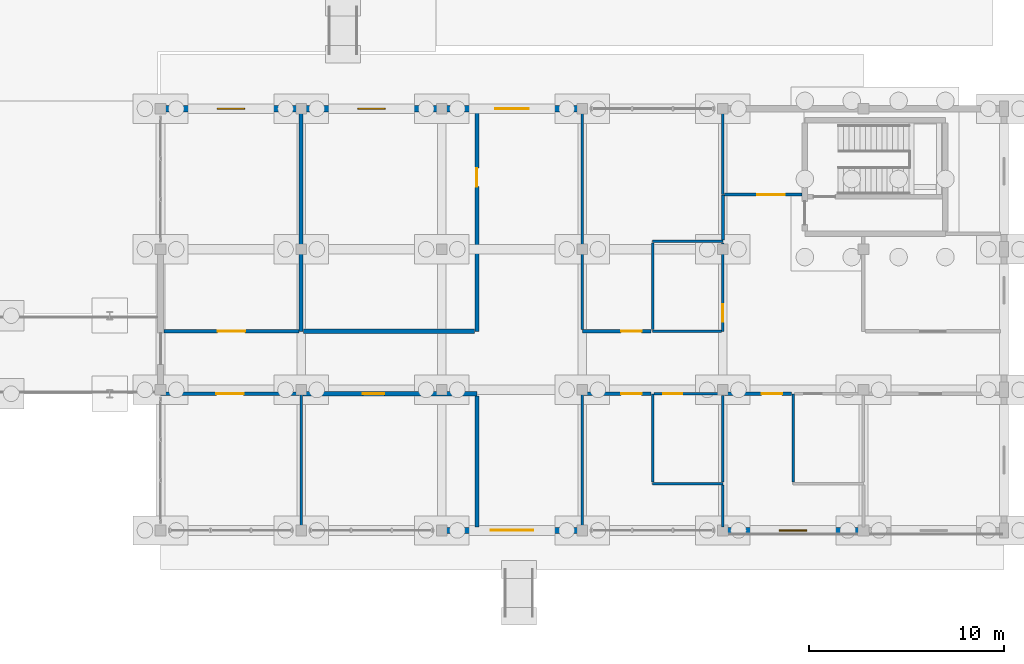
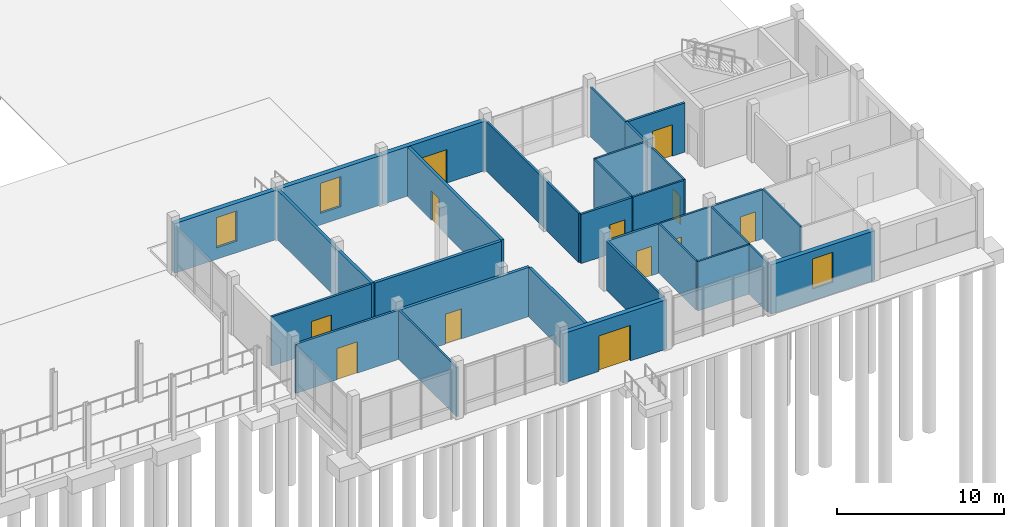
# One storey, part 82 of 98: 31 walls, 12 doors, 3 windows, 15 openings.
"""IFC4 building model written with IfcOpenShell, lengths in metres."""

from ifc_helpers import new_model, si_unit, direction, frame, frame_2d, origin, place, context, subcontext, project, spatial, rectangle, extrude, material, layer, layer_set, type_object, element, fill, save


model = new_model("IFC4")

# Units and contexts
model_context = context("Model", 3, precision=1e-05, world=origin(), true_north=direction((0.0, 1.0)))
body_context = subcontext(model_context, "Body", "Model", "MODEL_VIEW")
ifc_project = project(units=[si_unit("LENGTHUNIT", "METRE"), si_unit("AREAUNIT", "SQUARE_METRE"), si_unit("VOLUMEUNIT", "CUBIC_METRE"), si_unit("PLANEANGLEUNIT", "RADIAN"), si_unit("MASSUNIT", "GRAM", prefix="KILO")], contexts=[model_context])

# Site, building, storey
site_placement = place(None, origin())
site = spatial("IfcSite", under=ifc_project, at=site_placement, CompositionType="ELEMENT")
building_placement = place(site_placement, origin())
building = spatial("IfcBuilding", under=site, at=building_placement, Name="Zornivar Specialist Clinic", CompositionType="ELEMENT")
storey_placement = place(building_placement, origin())
storey = spatial("IfcBuildingStorey", under=building, at=storey_placement, Name="L00", CompositionType="ELEMENT", Elevation=0.0)

# Wall, opening, door
ifc_material_1 = material(Name="Masonry Healing Pavilion Coursed Limestone Wall", Category="masonry")
ifc_layer_1 = layer(ifc_material_1, 0.320068359375)
ifc_layer_set_1 = layer_set([ifc_layer_1], Name="Masonry Healing Pavilion Coursed Limestone Wall")
wall_type_1 = type_object("IfcWallType", Name="EW-PAV-320", PredefinedType="SOLIDWALL", material=ifc_layer_set_1)
wall_1_placement = place(storey_placement, frame((136.800048828125, 0.0, 0.0), z_axis=(0.0, 0.0, 1.0), x_axis=(1.0, 0.0, 0.0)))
wall_1 = element("IfcWall", 1, at=wall_1_placement, inside=storey, type_object=wall_type_1, Name="ew:V4:L00:02", PredefinedType="SOLIDWALL", context=body_context, shape_type="SweptSolid", body=[
    extrude(rectangle(XDim=7.199951171875, YDim=0.320068359375, at=frame_2d((3.60009765625, 0.0))), origin(), (0.0, 0.0, 1.0), 3.6201171875),
])
opening_1_placement = place(wall_1_placement, frame((2.5, 0.0, 0.0)))
opening_1 = element("IfcOpeningElement", 2, at=opening_1_placement, cuts=wall_1, Name="Opening ED-01", PredefinedType="OPENING", context=body_context, shape_type="SweptSolid", body=[
    extrude(rectangle(XDim=2.199951171875, YDim=2.60009765625, at=frame_2d((1.10009765625, 1.300048828125))), frame((0.0, 0.169921875, 0.0), z_axis=(0.0, -1.0, 0.0), x_axis=(1.0, 0.0, 0.0)), (0.0, 0.0, 1.0), 0.340087890625),
])
ifc_material_2 = material(Name="Thermally Broken Glazed Aluminium Door", Category="aluminium")
door_type_1 = type_object("IfcDoorType", Name="ED-MAIN-2200x2600", OperationType="NOTDEFINED", PredefinedType="DOOR", material=ifc_material_2)
door_1_placement = place(opening_1_placement, frame((2.199951171875, 0.0, 0.0), z_axis=(0.0, 0.0, 1.0), x_axis=(-1.0, 0.0, 0.0)))
door_1 = element("IfcDoor", 3, at=door_1_placement, inside=storey, type_object=door_type_1, Name="door:V4:L00:02", OperationType="DOUBLE_DOOR_SINGLE_SWING", OverallHeight=2.60009765625, OverallWidth=2.199951171875, PredefinedType="DOOR", context=body_context, shape_type="SweptSolid", body=[
    extrude(rectangle(XDim=2.199951171875, YDim=2.60009765625, at=frame_2d((1.10009765625, 1.300048828125))), frame((0.0, 0.02490234375, 0.0), z_axis=(0.0, -1.0, 0.0), x_axis=(1.0, 0.0, 0.0)), (0.0, 0.0, 1.0), 0.050048828125),
])
fill(opening_1, door_1)

# Wall, opening, window
wall_2_placement = place(storey_placement, frame((151.199951171875, 0.0, 0.0), z_axis=(0.0, 0.0, 1.0), x_axis=(1.0, 0.0, 0.0)))
wall_2 = element("IfcWall", 4, at=wall_2_placement, inside=storey, type_object=wall_type_1, Name="ew:V4:L00:04", PredefinedType="SOLIDWALL", context=body_context, shape_type="SweptSolid", body=[
    extrude(rectangle(XDim=7.199951171875, YDim=0.320068359375, at=frame_2d((3.60009765625, 0.0))), origin(), (0.0, 0.0, 1.0), 3.6201171875),
])
opening_2_placement = place(wall_2_placement, frame((2.89990234375, 0.0, 0.85009765625)))
opening_2 = element("IfcOpeningElement", 5, at=opening_2_placement, cuts=wall_2, Name="Opening W-15", PredefinedType="OPENING", context=body_context, shape_type="SweptSolid", body=[
    extrude(rectangle(XDim=1.39990234375, YDim=2.199951171875, at=frame_2d((0.699951171875, 1.10009765625))), frame((0.0, 0.169921875, 0.0), z_axis=(0.0, -1.0, 0.0), x_axis=(1.0, 0.0, 0.0)), (0.0, 0.0, 1.0), 0.340087890625),
])
ifc_material_3 = material(Name="Triple-Glazed Aluminium-Timber Window Glass", Category="wood")
window_type = type_object("IfcWindowType", Name="WIN-PAV-GARDEN-1400x2200", PartitioningType="SINGLE_PANEL", PredefinedType="WINDOW", material=ifc_material_3)
window_1_placement = place(opening_2_placement, origin())
window_1 = element("IfcWindow", 6, at=window_1_placement, inside=storey, type_object=window_type, Name="win:V4:L00:04", OverallHeight=2.199951171875, OverallWidth=1.39990234375, PartitioningType="SINGLE_PANEL", PredefinedType="WINDOW", context=body_context, shape_type="SweptSolid", body=[
    extrude(rectangle(XDim=1.39990234375, YDim=2.199951171875, at=frame_2d((0.699951171875, 1.10009765625))), frame((0.0, 0.030029296875, 0.0), z_axis=(0.0, -1.0, 0.0), x_axis=(1.0, 0.0, 0.0)), (0.0, 0.0, 1.0), 0.06005859375),
])
fill(opening_2, window_1)

# Wall, opening, door
wall_3_placement = place(storey_placement, frame((144.0, 21.60009765625, 0.0), z_axis=(0.0, 0.0, 1.0), x_axis=(-1.0, 0.0, 0.0)))
wall_3 = element("IfcWall", 7, at=wall_3_placement, inside=storey, type_object=wall_type_1, Name="ew:V4:L00:12", PredefinedType="SOLIDWALL", context=body_context, shape_type="SweptSolid", body=[
    extrude(rectangle(XDim=7.199951171875, YDim=0.320068359375, at=frame_2d((3.60009765625, 0.0))), origin(), (0.0, 0.0, 1.0), 3.6201171875),
])
opening_3_placement = place(wall_3_placement, frame((2.75, 0.0, 0.0)))
opening_3 = element("IfcOpeningElement", 8, at=opening_3_placement, cuts=wall_3, Name="Opening ED-05", PredefinedType="OPENING", context=body_context, shape_type="SweptSolid", body=[
    extrude(rectangle(XDim=1.699951171875, YDim=2.449951171875, at=frame_2d((0.85009765625, 1.22509765625))), frame((0.0, 0.169921875, 0.0), z_axis=(0.0, -1.0, 0.0), x_axis=(1.0, 0.0, 0.0)), (0.0, 0.0, 1.0), 0.340087890625),
])
ifc_material_4 = material(Name="Thermally Broken Glazed Aluminium Door", Category="aluminium")
door_type_2 = type_object("IfcDoorType", Name="ED-COURT-1700x2450", OperationType="NOTDEFINED", PredefinedType="DOOR", material=ifc_material_4)
door_2_placement = place(opening_3_placement, frame((1.699951171875, 0.0, 0.0), z_axis=(0.0, 0.0, 1.0), x_axis=(-1.0, 0.0, 0.0)))
door_2 = element("IfcDoor", 9, at=door_2_placement, inside=storey, type_object=door_type_2, Name="door:V4:L00:12", OperationType="DOUBLE_DOOR_SINGLE_SWING", OverallHeight=2.449951171875, OverallWidth=1.699951171875, PredefinedType="DOOR", context=body_context, shape_type="SweptSolid", body=[
    extrude(rectangle(XDim=1.699951171875, YDim=2.449951171875, at=frame_2d((0.85009765625, 1.22509765625))), frame((0.0, 0.02490234375, 0.0), z_axis=(0.0, -1.0, 0.0), x_axis=(1.0, 0.0, 0.0)), (0.0, 0.0, 1.0), 0.050048828125),
])
fill(opening_3, door_2)

# Wall, opening, window
wall_4_placement = place(storey_placement, frame((136.800048828125, 21.60009765625, 0.0), z_axis=(0.0, 0.0, 1.0), x_axis=(-1.0, 0.0, 0.0)))
wall_4 = element("IfcWall", 10, at=wall_4_placement, inside=storey, type_object=wall_type_1, Name="ew:V4:L00:13", PredefinedType="SOLIDWALL", context=body_context, shape_type="SweptSolid", body=[
    extrude(rectangle(XDim=7.199951171875, YDim=0.320068359375, at=frame_2d((3.60009765625, 0.0))), origin(), (0.0, 0.0, 1.0), 3.6201171875),
])
opening_4_placement = place(wall_4_placement, frame((2.89990234375, 0.0, 0.85009765625)))
opening_4 = element("IfcOpeningElement", 11, at=opening_4_placement, cuts=wall_4, Name="Opening W-15", PredefinedType="OPENING", context=body_context, shape_type="SweptSolid", body=[
    extrude(rectangle(XDim=1.39990234375, YDim=2.199951171875, at=frame_2d((0.699951171875, 1.10009765625))), frame((0.0, 0.169921875, 0.0), z_axis=(0.0, -1.0, 0.0), x_axis=(1.0, 0.0, 0.0)), (0.0, 0.0, 1.0), 0.340087890625),
])
window_2_placement = place(opening_4_placement, origin())
window_2 = element("IfcWindow", 12, at=window_2_placement, inside=storey, type_object=window_type, Name="win:V4:L00:13", OverallHeight=2.199951171875, OverallWidth=1.39990234375, PartitioningType="SINGLE_PANEL", PredefinedType="WINDOW", context=body_context, shape_type="SweptSolid", body=[
    extrude(rectangle(XDim=1.39990234375, YDim=2.199951171875, at=frame_2d((0.699951171875, 1.10009765625))), frame((0.0, 0.030029296875, 0.0), z_axis=(0.0, -1.0, 0.0), x_axis=(1.0, 0.0, 0.0)), (0.0, 0.0, 1.0), 0.06005859375),
])
fill(opening_4, window_2)

wall_5_placement = place(storey_placement, frame((129.60009765625, 21.60009765625, 0.0), z_axis=(0.0, 0.0, 1.0), x_axis=(-1.0, 0.0, 0.0)))
wall_5 = element("IfcWall", 13, at=wall_5_placement, inside=storey, type_object=wall_type_1, Name="ew:V4:L00:14", PredefinedType="SOLIDWALL", context=body_context, shape_type="SweptSolid", body=[
    extrude(rectangle(XDim=7.2001953125, YDim=0.320068359375, at=frame_2d((3.60009765625, 0.0))), origin(), (0.0, 0.0, 1.0), 3.6201171875),
])
opening_5_placement = place(wall_5_placement, frame((2.89990234375, 0.0, 0.85009765625)))
opening_5 = element("IfcOpeningElement", 14, at=opening_5_placement, cuts=wall_5, Name="Opening W-15", PredefinedType="OPENING", context=body_context, shape_type="SweptSolid", body=[
    extrude(rectangle(XDim=1.39990234375, YDim=2.199951171875, at=frame_2d((0.699951171875, 1.10009765625))), frame((0.0, 0.169921875, 0.0), z_axis=(0.0, -1.0, 0.0), x_axis=(1.0, 0.0, 0.0)), (0.0, 0.0, 1.0), 0.340087890625),
])
window_3_placement = place(opening_5_placement, origin())
window_3 = element("IfcWindow", 15, at=window_3_placement, inside=storey, type_object=window_type, Name="win:V4:L00:14", OverallHeight=2.199951171875, OverallWidth=1.39990234375, PartitioningType="SINGLE_PANEL", PredefinedType="WINDOW", context=body_context, shape_type="SweptSolid", body=[
    extrude(rectangle(XDim=1.39990234375, YDim=2.199951171875, at=frame_2d((0.699951171875, 1.10009765625))), frame((0.0, 0.030029296875, 0.0), z_axis=(0.0, -1.0, 0.0), x_axis=(1.0, 0.0, 0.0)), (0.0, 0.0, 1.0), 0.06005859375),
])
fill(opening_5, window_3)

# Walls
ifc_material_5 = material(Name="Acoustic Clinical Stud Partition")
ifc_layer_2 = layer(ifc_material_5, 0.139892578125)
ifc_layer_set_2 = layer_set([ifc_layer_2], Name="Acoustic Clinical Stud Partition")
wall_type_2 = type_object("IfcWallType", Name="IW-CLIN-140", PredefinedType="PARTITIONING", material=ifc_layer_set_2)
wall_6_placement = place(storey_placement, frame((129.60009765625, 7.0, 0.0), z_axis=(0.0, 0.0, 1.0), x_axis=(0.0, -1.0, 0.0)))
element("IfcWall", 16, at=wall_6_placement, inside=storey, type_object=wall_type_2, Name="iw:L00:139", PredefinedType="PARTITIONING", context=body_context, shape_type="SweptSolid", body=[
    extrude(rectangle(XDim=7.0, YDim=0.139892578125, at=frame_2d((3.5, 0.0))), origin(), (0.0, 0.0, 1.0), 3.60009765625),
])
wall_7_placement = place(storey_placement, frame((151.199951171875, 2.321044921875, 0.0), z_axis=(0.0, 0.0, 1.0), x_axis=(0.0, -1.0, 0.0)))
element("IfcWall", 17, at=wall_7_placement, inside=storey, type_object=wall_type_2, Name="iw:L00:151", PredefinedType="PARTITIONING", context=body_context, shape_type="SweptSolid", body=[
    extrude(rectangle(XDim=2.14599609375, YDim=0.139892578125, at=frame_2d((1.072998046875, 0.0))), origin(), (0.0, 0.0, 1.0), 3.60009765625),
])
wall_8_placement = place(storey_placement, frame((144.0, 0.175048828125, 0.0), z_axis=(0.0, 0.0, 1.0), x_axis=(0.0, 1.0, 0.0)))
element("IfcWall", 18, at=wall_8_placement, inside=storey, type_object=wall_type_2, Name="iw:L00:152", PredefinedType="PARTITIONING", context=body_context, shape_type="SweptSolid", body=[
    extrude(rectangle(XDim=6.824951171875, YDim=0.139892578125, at=frame_2d((3.41259765625, 0.0))), origin(), (0.0, 0.0, 1.0), 3.60009765625),
])
wall_9_placement = place(storey_placement, frame((151.199951171875, 21.425048828125, 0.0), z_axis=(0.0, 0.0, 1.0), x_axis=(0.0, -1.0, 0.0)))
element("IfcWall", 19, at=wall_9_placement, inside=storey, type_object=wall_type_2, Name="iw:L00:158", PredefinedType="PARTITIONING", context=body_context, shape_type="SweptSolid", body=[
    extrude(rectangle(XDim=4.22509765625, YDim=0.139892578125, at=frame_2d((2.112548828125, 0.0))), origin(), (0.0, 0.0, 1.0), 3.60009765625),
])
wall_10_placement = place(storey_placement, frame((144.0, 10.2939453125, 0.0), z_axis=(0.0, 0.0, 1.0), x_axis=(0.0, 1.0, 0.0)))
element("IfcWall", 20, at=wall_10_placement, inside=storey, type_object=wall_type_2, Name="iw:L00:161", PredefinedType="PARTITIONING", context=body_context, shape_type="SweptSolid", body=[
    extrude(rectangle(XDim=11.131103515625, YDim=0.139892578125, at=frame_2d((5.5654296875, 0.0))), origin(), (0.0, 0.0, 1.0), 3.60009765625),
])

# Wall, opening, door
ifc_material_6 = material(Name="Gypsum Fire-Rated Double Stud Partition")
ifc_layer_3 = layer(ifc_material_6, 0.159912109375)
ifc_layer_set_3 = layer_set([ifc_layer_3], Name="Gypsum Fire-Rated Double Stud Partition")
wall_type_3 = type_object("IfcWallType", Name="IW-CORR-EI60-160", PredefinedType="PARTITIONING", material=ifc_layer_set_3)
wall_11_placement = place(storey_placement, frame((122.39990234375, 7.0, 0.0), z_axis=(0.0, 0.0, 1.0), x_axis=(1.0, 0.0, 0.0)))
wall_11 = element("IfcWall", 21, at=wall_11_placement, inside=storey, type_object=wall_type_3, Name="iw:L00:140", PredefinedType="PARTITIONING", context=body_context, shape_type="SweptSolid", body=[
    extrude(rectangle(XDim=7.1162109375, YDim=0.159912109375, at=frame_2d((3.55810546875, 0.0))), origin(), (0.0, 0.0, 1.0), 3.60009765625),
])
opening_6_placement = place(wall_11_placement, frame((2.85791015625, 0.0, 0.0)))
opening_6 = element("IfcOpeningElement", 22, at=opening_6_placement, cuts=wall_11, Name="Opening ID-12", PredefinedType="OPENING", context=body_context, shape_type="SweptSolid", body=[
    extrude(rectangle(XDim=1.39990234375, YDim=2.300048828125, at=frame_2d((0.699951171875, 1.14990234375))), frame((0.0, 0.08984375, 0.0), z_axis=(0.0, -1.0, 0.0), x_axis=(1.0, 0.0, 0.0)), (0.0, 0.0, 1.0), 0.179931640625),
])
ifc_material_7 = material(Name="Solid-Core Hygienic Laminate Timber Door", Category="wood")
door_type_3 = type_object("IfcDoorType", Name="ID-WAIT-1400x2300", OperationType="NOTDEFINED", PredefinedType="DOOR", material=ifc_material_7)
door_3_placement = place(opening_6_placement, frame((1.39990234375, 0.0, 0.0), z_axis=(0.0, 0.0, 1.0), x_axis=(-1.0, 0.0, 0.0)))
door_3 = element("IfcDoor", 23, at=door_3_placement, inside=storey, type_object=door_type_3, Name="door:space:V4:L00:rm:00", OperationType="DOUBLE_DOOR_SINGLE_SWING", OverallHeight=2.300048828125, OverallWidth=1.39990234375, PredefinedType="DOOR", context=body_context, shape_type="SweptSolid", body=[
    extrude(rectangle(XDim=1.39990234375, YDim=2.300048828125, at=frame_2d((0.699951171875, 1.14990234375))), frame((0.0, 0.02490234375, 0.0), z_axis=(0.0, -1.0, 0.0), x_axis=(1.0, 0.0, 0.0)), (0.0, 0.0, 1.0), 0.050048828125),
])
fill(opening_6, door_3)

wall_12_placement = place(storey_placement, frame((129.48095703125, 10.199951171875, 0.0), z_axis=(0.0, 0.0, 1.0), x_axis=(-1.0, 0.0, 0.0)))
wall_12 = element("IfcWall", 24, at=wall_12_placement, inside=storey, type_object=wall_type_3, Name="iw:L00:142", PredefinedType="PARTITIONING", context=body_context, shape_type="SweptSolid", body=[
    extrude(rectangle(XDim=6.906005859375, YDim=0.159912109375, at=frame_2d((3.453125, 0.0))), origin(), (0.0, 0.0, 1.0), 3.60009765625),
])
opening_7_placement = place(wall_12_placement, frame((2.7529296875, 0.0, 0.0)))
opening_7 = element("IfcOpeningElement", 25, at=opening_7_placement, cuts=wall_12, Name="Opening ID-12", PredefinedType="OPENING", context=body_context, shape_type="SweptSolid", body=[
    extrude(rectangle(XDim=1.39990234375, YDim=2.300048828125, at=frame_2d((0.699951171875, 1.14990234375))), frame((0.0, 0.08984375, 0.0), z_axis=(0.0, -1.0, 0.0), x_axis=(1.0, 0.0, 0.0)), (0.0, 0.0, 1.0), 0.179931640625),
])
door_4_placement = place(opening_7_placement, origin())
door_4 = element("IfcDoor", 26, at=door_4_placement, inside=storey, type_object=door_type_3, Name="door:space:V4:L00:rm:01", OperationType="DOUBLE_DOOR_SINGLE_SWING", OverallHeight=2.300048828125, OverallWidth=1.39990234375, PredefinedType="DOOR", context=body_context, shape_type="SweptSolid", body=[
    extrude(rectangle(XDim=1.39990234375, YDim=2.300048828125, at=frame_2d((0.699951171875, 1.14990234375))), frame((0.0, 0.02490234375, 0.0), z_axis=(0.0, -1.0, 0.0), x_axis=(1.0, 0.0, 0.0)), (0.0, 0.0, 1.0), 0.050048828125),
])
fill(opening_7, door_4)

wall_13_placement = place(storey_placement, frame((144.083984375, 7.0, 0.0), z_axis=(0.0, 0.0, 1.0), x_axis=(1.0, 0.0, 0.0)))
wall_13 = element("IfcWall", 27, at=wall_13_placement, inside=storey, type_object=wall_type_3, Name="iw:L00:153", PredefinedType="PARTITIONING", context=body_context, shape_type="SweptSolid", body=[
    extrude(rectangle(XDim=3.43701171875, YDim=0.159912109375, at=frame_2d((1.718505859375, 0.0))), origin(), (0.0, 0.0, 1.0), 3.60009765625),
])
opening_8_placement = place(wall_13_placement, frame((1.906982421875, 0.0, 0.0)))
opening_8 = element("IfcOpeningElement", 28, at=opening_8_placement, cuts=wall_13, Name="Opening ID-03", PredefinedType="OPENING", context=body_context, shape_type="SweptSolid", body=[
    extrude(rectangle(XDim=1.050048828125, YDim=2.14990234375, at=frame_2d((0.52490234375, 1.074951171875))), frame((0.0, 0.08984375, 0.0), z_axis=(0.0, -1.0, 0.0), x_axis=(1.0, 0.0, 0.0)), (0.0, 0.0, 1.0), 0.179931640625),
])
ifc_material_8 = material(Name="Solid-Core Hygienic Laminate Timber Door", Category="wood")
door_type_4 = type_object("IfcDoorType", Name="ID-CONS-1050x2150", OperationType="NOTDEFINED", PredefinedType="DOOR", material=ifc_material_8)
door_5_placement = place(opening_8_placement, origin())
door_5 = element("IfcDoor", 29, at=door_5_placement, inside=storey, type_object=door_type_4, Name="door:space:V4:L00:rm:04b", OperationType="SINGLE_SWING_RIGHT", OverallHeight=2.14990234375, OverallWidth=1.050048828125, PredefinedType="DOOR", context=body_context, shape_type="SweptSolid", body=[
    extrude(rectangle(XDim=1.050048828125, YDim=2.14990234375, at=frame_2d((0.52490234375, 1.074951171875))), frame((0.0, 0.02490234375, 0.0), z_axis=(0.0, -1.0, 0.0), x_axis=(1.0, 0.0, 0.0)), (0.0, 0.0, 1.0), 0.050048828125),
])
fill(opening_8, door_5)

# Wall
wall_14_placement = place(storey_placement, frame((151.199951171875, 17.18798828125, 0.0), z_axis=(0.0, 0.0, 1.0), x_axis=(0.0, -1.0, 0.0)))
element("IfcWall", 30, at=wall_14_placement, inside=storey, type_object=wall_type_3, Name="iw:L00:159", PredefinedType="PARTITIONING", context=body_context, shape_type="SweptSolid", body=[
    extrude(rectangle(XDim=2.30908203125, YDim=0.159912109375, at=frame_2d((1.154541015625, 0.0))), origin(), (0.0, 0.0, 1.0), 3.60009765625),
])

# Wall, opening, door
wall_15_placement = place(storey_placement, frame((147.52099609375, 10.199951171875, 0.0), z_axis=(0.0, 0.0, 1.0), x_axis=(-1.0, 0.0, 0.0)))
wall_15 = element("IfcWall", 31, at=wall_15_placement, inside=storey, type_object=wall_type_3, Name="iw:L00:160", PredefinedType="PARTITIONING", context=body_context, shape_type="SweptSolid", body=[
    extrude(rectangle(XDim=3.52099609375, YDim=0.159912109375, at=frame_2d((1.760498046875, 0.0))), origin(), (0.0, 0.0, 1.0), 3.60009765625),
])
opening_9_placement = place(wall_15_placement, frame((0.47998046875, 0.0, 0.0)))
opening_9 = element("IfcOpeningElement", 32, at=opening_9_placement, cuts=wall_15, Name="Opening ID-03", PredefinedType="OPENING", context=body_context, shape_type="SweptSolid", body=[
    extrude(rectangle(XDim=1.050048828125, YDim=2.14990234375, at=frame_2d((0.52490234375, 1.074951171875))), frame((0.0, 0.08984375, 0.0), z_axis=(0.0, -1.0, 0.0), x_axis=(1.0, 0.0, 0.0)), (0.0, 0.0, 1.0), 0.179931640625),
])
door_6_placement = place(opening_9_placement, origin())
door_6 = element("IfcDoor", 33, at=door_6_placement, inside=storey, type_object=door_type_4, Name="door:space:V4:L00:rm:06b", OperationType="SINGLE_SWING_RIGHT", OverallHeight=2.14990234375, OverallWidth=1.050048828125, PredefinedType="DOOR", context=body_context, shape_type="SweptSolid", body=[
    extrude(rectangle(XDim=1.050048828125, YDim=2.14990234375, at=frame_2d((0.52490234375, 1.074951171875))), frame((0.0, 0.02490234375, 0.0), z_axis=(0.0, -1.0, 0.0), x_axis=(1.0, 0.0, 0.0)), (0.0, 0.0, 1.0), 0.050048828125),
])
fill(opening_9, door_6)

wall_16_placement = place(storey_placement, frame((151.279052734375, 7.0, 0.0), z_axis=(0.0, 0.0, 1.0), x_axis=(1.0, 0.0, 0.0)))
wall_16 = element("IfcWall", 34, at=wall_16_placement, inside=storey, type_object=wall_type_3, Name="iw:L00:167", PredefinedType="PARTITIONING", context=body_context, shape_type="SweptSolid", body=[
    extrude(rectangle(XDim=3.44189453125, YDim=0.159912109375, at=frame_2d((1.720947265625, 0.0))), origin(), (0.0, 0.0, 1.0), 3.60009765625),
])
opening_10_placement = place(wall_16_placement, frame((1.912109375, 0.0, 0.0)))
opening_10 = element("IfcOpeningElement", 35, at=opening_10_placement, cuts=wall_16, Name="Opening ID-03", PredefinedType="OPENING", context=body_context, shape_type="SweptSolid", body=[
    extrude(rectangle(XDim=1.050048828125, YDim=2.14990234375, at=frame_2d((0.52490234375, 1.074951171875))), frame((0.0, 0.08984375, 0.0), z_axis=(0.0, -1.0, 0.0), x_axis=(1.0, 0.0, 0.0)), (0.0, 0.0, 1.0), 0.179931640625),
])
door_7_placement = place(opening_10_placement, origin())
door_7 = element("IfcDoor", 36, at=door_7_placement, inside=storey, type_object=door_type_4, Name="door:space:V4:L00:rm:08b", OperationType="SINGLE_SWING_RIGHT", OverallHeight=2.14990234375, OverallWidth=1.050048828125, PredefinedType="DOOR", context=body_context, shape_type="SweptSolid", body=[
    extrude(rectangle(XDim=1.050048828125, YDim=2.14990234375, at=frame_2d((0.52490234375, 1.074951171875))), frame((0.0, 0.02490234375, 0.0), z_axis=(0.0, -1.0, 0.0), x_axis=(1.0, 0.0, 0.0)), (0.0, 0.0, 1.0), 0.050048828125),
])
fill(opening_10, door_7)

wall_17_placement = place(storey_placement, frame((155.2451171875, 17.199951171875, 0.0), z_axis=(0.0, 0.0, 1.0), x_axis=(-1.0, 0.0, 0.0)))
wall_17 = element("IfcWall", 37, at=wall_17_placement, inside=storey, type_object=wall_type_3, Name="iw:L00:168", PredefinedType="PARTITIONING", context=body_context, shape_type="SweptSolid", body=[
    extrude(rectangle(XDim=3.951171875, YDim=0.159912109375, at=frame_2d((1.9755859375, 0.0))), origin(), (0.0, 0.0, 1.0), 3.60009765625),
])
opening_11_placement = place(wall_17_placement, frame((0.8779296875, 0.0, 0.0)))
opening_11 = element("IfcOpeningElement", 38, at=opening_11_placement, cuts=wall_17, Name="Opening ID-12", PredefinedType="OPENING", context=body_context, shape_type="SweptSolid", body=[
    extrude(rectangle(XDim=1.39990234375, YDim=2.300048828125, at=frame_2d((0.699951171875, 1.14990234375))), frame((0.0, 0.08984375, 0.0), z_axis=(0.0, -1.0, 0.0), x_axis=(1.0, 0.0, 0.0)), (0.0, 0.0, 1.0), 0.179931640625),
])
door_8_placement = place(opening_11_placement, origin())
door_8 = element("IfcDoor", 39, at=door_8_placement, inside=storey, type_object=door_type_3, Name="door:space:V4:L00:rm:10", OperationType="DOUBLE_DOOR_SINGLE_SWING", OverallHeight=2.300048828125, OverallWidth=1.39990234375, PredefinedType="DOOR", context=body_context, shape_type="SweptSolid", body=[
    extrude(rectangle(XDim=1.39990234375, YDim=2.300048828125, at=frame_2d((0.699951171875, 1.14990234375))), frame((0.0, 0.02490234375, 0.0), z_axis=(0.0, -1.0, 0.0), x_axis=(1.0, 0.0, 0.0)), (0.0, 0.0, 1.0), 0.050048828125),
])
fill(opening_11, door_8)

# Wall
ifc_material_9 = material(Name="Waterproofed Hydrotherapy and Changing Partition")
ifc_layer_4 = layer(ifc_material_9, 0.2099609375)
ifc_layer_set_4 = layer_set([ifc_layer_4], Name="Waterproofed Hydrotherapy and Changing Partition")
wall_type_4 = type_object("IfcWallType", Name="IW-HYDRO-WET-210", PredefinedType="PARTITIONING", material=ifc_layer_set_4)
wall_18_placement = place(storey_placement, frame((129.60009765625, 21.425048828125, 0.0), z_axis=(0.0, 0.0, 1.0), x_axis=(0.0, -1.0, 0.0)))
element("IfcWall", 40, at=wall_18_placement, inside=storey, type_object=wall_type_4, Name="iw:L00:141", PredefinedType="PARTITIONING", context=body_context, shape_type="SweptSolid", body=[
    extrude(rectangle(XDim=11.22509765625, YDim=0.2099609375, at=frame_2d((5.612548828125, 0.0))), origin(), (0.0, 0.0, 1.0), 3.60009765625),
])

# Wall, opening, door
wall_19_placement = place(storey_placement, frame((129.68408203125, 7.0, 0.0), z_axis=(0.0, 0.0, 1.0), x_axis=(1.0, 0.0, 0.0)))
wall_19 = element("IfcWall", 41, at=wall_19_placement, inside=storey, type_object=wall_type_4, Name="iw:L00:143", PredefinedType="PARTITIONING", context=body_context, shape_type="SweptSolid", body=[
    extrude(rectangle(XDim=8.916015625, YDim=0.2099609375, at=frame_2d((4.4580078125, 0.0))), origin(), (0.0, 0.0, 1.0), 3.60009765625),
])
opening_12_placement = place(wall_19_placement, frame((3.0810546875, 0.0, 0.0)))
opening_12 = element("IfcOpeningElement", 42, at=opening_12_placement, cuts=wall_19, Name="Opening ID-05", PredefinedType="OPENING", context=body_context, shape_type="SweptSolid", body=[
    extrude(rectangle(XDim=1.10009765625, YDim=2.199951171875, at=frame_2d((0.550048828125, 1.10009765625))), frame((0.0, 0.114990234375, 0.0), z_axis=(0.0, -1.0, 0.0), x_axis=(1.0, 0.0, 0.0)), (0.0, 0.0, 1.0), 0.22998046875),
])
ifc_material_10 = material(Name="Solid-Core Hygienic Laminate Timber Door", Category="wood")
door_type_5 = type_object("IfcDoorType", Name="ID-THER-1100x2200", OperationType="NOTDEFINED", PredefinedType="DOOR", material=ifc_material_10)
door_9_placement = place(opening_12_placement, origin())
door_9 = element("IfcDoor", 43, at=door_9_placement, inside=storey, type_object=door_type_5, Name="door:space:V4:L00:rm:02", OperationType="SINGLE_SWING_LEFT", OverallHeight=2.199951171875, OverallWidth=1.10009765625, PredefinedType="DOOR", context=body_context, shape_type="SweptSolid", body=[
    extrude(rectangle(XDim=1.10009765625, YDim=2.199951171875, at=frame_2d((0.550048828125, 1.10009765625))), frame((0.0, 0.02490234375, 0.0), z_axis=(0.0, -1.0, 0.0), x_axis=(1.0, 0.0, 0.0)), (0.0, 0.0, 1.0), 0.050048828125),
])
fill(opening_12, door_9)

# Wall
wall_20_placement = place(storey_placement, frame((138.60009765625, 6.881103515625, 0.0), z_axis=(0.0, 0.0, 1.0), x_axis=(0.0, -1.0, 0.0)))
element("IfcWall", 44, at=wall_20_placement, inside=storey, type_object=wall_type_4, Name="iw:L00:144", PredefinedType="PARTITIONING", context=body_context, shape_type="SweptSolid", body=[
    extrude(rectangle(XDim=6.7060546875, YDim=0.2099609375, at=frame_2d((3.35302734375, 0.0))), origin(), (0.0, 0.0, 1.0), 3.60009765625),
])

# Wall, opening, door
wall_21_placement = place(storey_placement, frame((138.60009765625, 21.425048828125, 0.0), z_axis=(0.0, 0.0, 1.0), x_axis=(0.0, -1.0, 0.0)))
wall_21 = element("IfcWall", 45, at=wall_21_placement, inside=storey, type_object=wall_type_4, Name="iw:L00:145", PredefinedType="PARTITIONING", context=body_context, shape_type="SweptSolid", body=[
    extrude(rectangle(XDim=11.22509765625, YDim=0.2099609375, at=frame_2d((5.612548828125, 0.0))), origin(), (0.0, 0.0, 1.0), 3.60009765625),
])
opening_13_placement = place(wall_21_placement, frame((2.867919921875, 0.0, 0.0)))
opening_13 = element("IfcOpeningElement", 46, at=opening_13_placement, cuts=wall_21, Name="Opening ID-16", PredefinedType="OPENING", context=body_context, shape_type="SweptSolid", body=[
    extrude(rectangle(XDim=0.949951171875, YDim=2.14990234375, at=frame_2d((0.47509765625, 1.074951171875))), frame((0.0, 0.114990234375, 0.0), z_axis=(0.0, -1.0, 0.0), x_axis=(1.0, 0.0, 0.0)), (0.0, 0.0, 1.0), 0.22998046875),
])
ifc_material_11 = material(Name="Solid-Core Hygienic Laminate Timber Door", Category="wood")
door_type_6 = type_object("IfcDoorType", Name="ID-CHANG-0950x2150", OperationType="NOTDEFINED", PredefinedType="DOOR", material=ifc_material_11)
door_10_placement = place(opening_13_placement, origin())
door_10 = element("IfcDoor", 47, at=door_10_placement, inside=storey, type_object=door_type_6, Name="door:space:V4:L00:rm:03", OperationType="SINGLE_SWING_RIGHT", OverallHeight=2.14990234375, OverallWidth=0.949951171875, PredefinedType="DOOR", context=body_context, shape_type="SweptSolid", body=[
    extrude(rectangle(XDim=0.949951171875, YDim=2.14990234375, at=frame_2d((0.47509765625, 1.074951171875))), frame((0.0, 0.02490234375, 0.0), z_axis=(0.0, -1.0, 0.0), x_axis=(1.0, 0.0, 0.0)), (0.0, 0.0, 1.0), 0.050048828125),
])
fill(opening_13, door_10)

# Walls
wall_22_placement = place(storey_placement, frame((138.48095703125, 10.199951171875, 0.0), z_axis=(0.0, 0.0, 1.0), x_axis=(-1.0, 0.0, 0.0)))
element("IfcWall", 48, at=wall_22_placement, inside=storey, type_object=wall_type_4, Name="iw:L00:146", PredefinedType="PARTITIONING", context=body_context, shape_type="SweptSolid", body=[
    extrude(rectangle(XDim=8.761962890625, YDim=0.2099609375, at=frame_2d((4.380859375, 0.0))), origin(), (0.0, 0.0, 1.0), 3.60009765625),
])
ifc_material_12 = material(Name="Moisture-Resistant Sanitary Partition")
ifc_layer_5 = layer(ifc_material_12, 0.1298828125)
ifc_layer_set_5 = layer_set([ifc_layer_5], Name="Moisture-Resistant Sanitary Partition")
wall_type_5 = type_object("IfcWallType", Name="IW-WET-130", PredefinedType="PARTITIONING", material=ifc_layer_set_5)
wall_23_placement = place(storey_placement, frame((151.199951171875, 2.39990234375, 0.0), z_axis=(0.0, 0.0, 1.0), x_axis=(-1.0, 0.0, 0.0)))
element("IfcWall", 49, at=wall_23_placement, inside=storey, type_object=wall_type_5, Name="iw:L00:147", PredefinedType="PARTITIONING", context=body_context, shape_type="SweptSolid", body=[
    extrude(rectangle(XDim=3.599853515625, YDim=0.1298828125, at=frame_2d((1.7998046875, 0.0))), origin(), (0.0, 0.0, 1.0), 3.60009765625),
])
wall_24_placement = place(storey_placement, frame((147.60009765625, 2.47900390625, 0.0), z_axis=(0.0, 0.0, 1.0), x_axis=(0.0, 1.0, 0.0)))
element("IfcWall", 50, at=wall_24_placement, inside=storey, type_object=wall_type_5, Name="iw:L00:148", PredefinedType="PARTITIONING", context=body_context, shape_type="SweptSolid", body=[
    extrude(rectangle(XDim=4.52099609375, YDim=0.1298828125, at=frame_2d((2.260498046875, 0.0))), origin(), (0.0, 0.0, 1.0), 3.60009765625),
])

# Wall, opening, door
wall_25_placement = place(storey_placement, frame((147.678955078125, 7.0, 0.0), z_axis=(0.0, 0.0, 1.0), x_axis=(1.0, 0.0, 0.0)))
wall_25 = element("IfcWall", 51, at=wall_25_placement, inside=storey, type_object=wall_type_5, Name="iw:L00:149", PredefinedType="PARTITIONING", context=body_context, shape_type="SweptSolid", body=[
    extrude(rectangle(XDim=3.52099609375, YDim=0.1298828125, at=frame_2d((1.760498046875, 0.0))), origin(), (0.0, 0.0, 1.0), 3.60009765625),
])
opening_14_placement = place(wall_25_placement, frame((0.47998046875, 0.0, 0.0)))
opening_14 = element("IfcOpeningElement", 52, at=opening_14_placement, cuts=wall_25, Name="Opening ID-07", PredefinedType="OPENING", context=body_context, shape_type="SweptSolid", body=[
    extrude(rectangle(XDim=0.949951171875, YDim=2.10009765625, at=frame_2d((0.47509765625, 1.050048828125))), frame((0.0, 0.074951171875, 0.0), z_axis=(0.0, -1.0, 0.0), x_axis=(1.0, 0.0, 0.0)), (0.0, 0.0, 1.0), 0.14990234375),
])
ifc_material_13 = material(Name="Solid-Core Hygienic Laminate Timber Door", Category="wood")
door_type_7 = type_object("IfcDoorType", Name="ID-WC-ACC-0950x2100", OperationType="NOTDEFINED", PredefinedType="DOOR", material=ifc_material_13)
door_11_placement = place(opening_14_placement, origin())
door_11 = element("IfcDoor", 53, at=door_11_placement, inside=storey, type_object=door_type_7, Name="door:space:V4:L00:rm:04", OperationType="SINGLE_SWING_LEFT", OverallHeight=2.10009765625, OverallWidth=0.949951171875, PredefinedType="DOOR", context=body_context, shape_type="SweptSolid", body=[
    extrude(rectangle(XDim=0.949951171875, YDim=2.10009765625, at=frame_2d((0.47509765625, 1.050048828125))), frame((0.0, 0.02490234375, 0.0), z_axis=(0.0, -1.0, 0.0), x_axis=(1.0, 0.0, 0.0)), (0.0, 0.0, 1.0), 0.050048828125),
])
fill(opening_14, door_11)

# Walls
wall_26_placement = place(storey_placement, frame((151.199951171875, 6.9208984375, 0.0), z_axis=(0.0, 0.0, 1.0), x_axis=(0.0, -1.0, 0.0)))
element("IfcWall", 54, at=wall_26_placement, inside=storey, type_object=wall_type_5, Name="iw:L00:150", PredefinedType="PARTITIONING", context=body_context, shape_type="SweptSolid", body=[
    extrude(rectangle(XDim=4.44189453125, YDim=0.1298828125, at=frame_2d((2.220947265625, 0.0))), origin(), (0.0, 0.0, 1.0), 3.60009765625),
])
wall_27_placement = place(storey_placement, frame((147.60009765625, 14.800048828125, 0.0), z_axis=(0.0, 0.0, 1.0), x_axis=(1.0, 0.0, 0.0)))
element("IfcWall", 55, at=wall_27_placement, inside=storey, type_object=wall_type_5, Name="iw:L00:154", PredefinedType="PARTITIONING", context=body_context, shape_type="SweptSolid", body=[
    extrude(rectangle(XDim=3.599853515625, YDim=0.1298828125, at=frame_2d((1.7998046875, 0.0))), origin(), (0.0, 0.0, 1.0), 3.60009765625),
])

# Wall, opening, door
wall_28_placement = place(storey_placement, frame((151.199951171875, 14.720947265625, 0.0), z_axis=(0.0, 0.0, 1.0), x_axis=(0.0, -1.0, 0.0)))
wall_28 = element("IfcWall", 56, at=wall_28_placement, inside=storey, type_object=wall_type_5, Name="iw:L00:155", PredefinedType="PARTITIONING", context=body_context, shape_type="SweptSolid", body=[
    extrude(rectangle(XDim=4.52099609375, YDim=0.1298828125, at=frame_2d((2.260498046875, 0.0))), origin(), (0.0, 0.0, 1.0), 3.60009765625),
])
opening_15_placement = place(wall_28_placement, frame((3.14111328125, 0.0, 0.0)))
opening_15 = element("IfcOpeningElement", 57, at=opening_15_placement, cuts=wall_28, Name="Opening ID-08", PredefinedType="OPENING", context=body_context, shape_type="SweptSolid", body=[
    extrude(rectangle(XDim=0.89990234375, YDim=2.10009765625, at=frame_2d((0.449951171875, 1.050048828125))), frame((0.0, 0.074951171875, 0.0), z_axis=(0.0, -1.0, 0.0), x_axis=(1.0, 0.0, 0.0)), (0.0, 0.0, 1.0), 0.14990234375),
])
ifc_material_14 = material(Name="Solid-Core Hygienic Laminate Timber Door", Category="wood")
door_type_8 = type_object("IfcDoorType", Name="ID-WC-STD-0900x2100", OperationType="NOTDEFINED", PredefinedType="DOOR", material=ifc_material_14)
door_12_placement = place(opening_15_placement, origin())
door_12 = element("IfcDoor", 58, at=door_12_placement, inside=storey, type_object=door_type_8, Name="door:space:V4:L00:rm:06", OperationType="SINGLE_SWING_LEFT", OverallHeight=2.10009765625, OverallWidth=0.89990234375, PredefinedType="DOOR", context=body_context, shape_type="SweptSolid", body=[
    extrude(rectangle(XDim=0.89990234375, YDim=2.10009765625, at=frame_2d((0.449951171875, 1.050048828125))), frame((0.0, 0.02490234375, 0.0), z_axis=(0.0, -1.0, 0.0), x_axis=(1.0, 0.0, 0.0)), (0.0, 0.0, 1.0), 0.050048828125),
])
fill(opening_15, door_12)

# Walls
wall_29_placement = place(storey_placement, frame((151.12109375, 10.199951171875, 0.0), z_axis=(0.0, 0.0, 1.0), x_axis=(-1.0, 0.0, 0.0)))
element("IfcWall", 59, at=wall_29_placement, inside=storey, type_object=wall_type_5, Name="iw:L00:156", PredefinedType="PARTITIONING", context=body_context, shape_type="SweptSolid", body=[
    extrude(rectangle(XDim=3.52099609375, YDim=0.1298828125, at=frame_2d((1.760498046875, 0.0))), origin(), (0.0, 0.0, 1.0), 3.60009765625),
])
wall_30_placement = place(storey_placement, frame((147.60009765625, 10.279052734375, 0.0), z_axis=(0.0, 0.0, 1.0), x_axis=(0.0, 1.0, 0.0)))
element("IfcWall", 60, at=wall_30_placement, inside=storey, type_object=wall_type_5, Name="iw:L00:157", PredefinedType="PARTITIONING", context=body_context, shape_type="SweptSolid", body=[
    extrude(rectangle(XDim=4.44189453125, YDim=0.1298828125, at=frame_2d((2.220947265625, 0.0))), origin(), (0.0, 0.0, 1.0), 3.60009765625),
])
wall_31_placement = place(storey_placement, frame((154.800048828125, 2.47900390625, 0.0), z_axis=(0.0, 0.0, 1.0), x_axis=(0.0, 1.0, 0.0)))
element("IfcWall", 61, at=wall_31_placement, inside=storey, type_object=wall_type_5, Name="iw:L00:163", PredefinedType="PARTITIONING", context=body_context, shape_type="SweptSolid", body=[
    extrude(rectangle(XDim=4.52099609375, YDim=0.1298828125, at=frame_2d((2.260498046875, 0.0))), origin(), (0.0, 0.0, 1.0), 3.60009765625),
])

save(model, "model.ifc")
